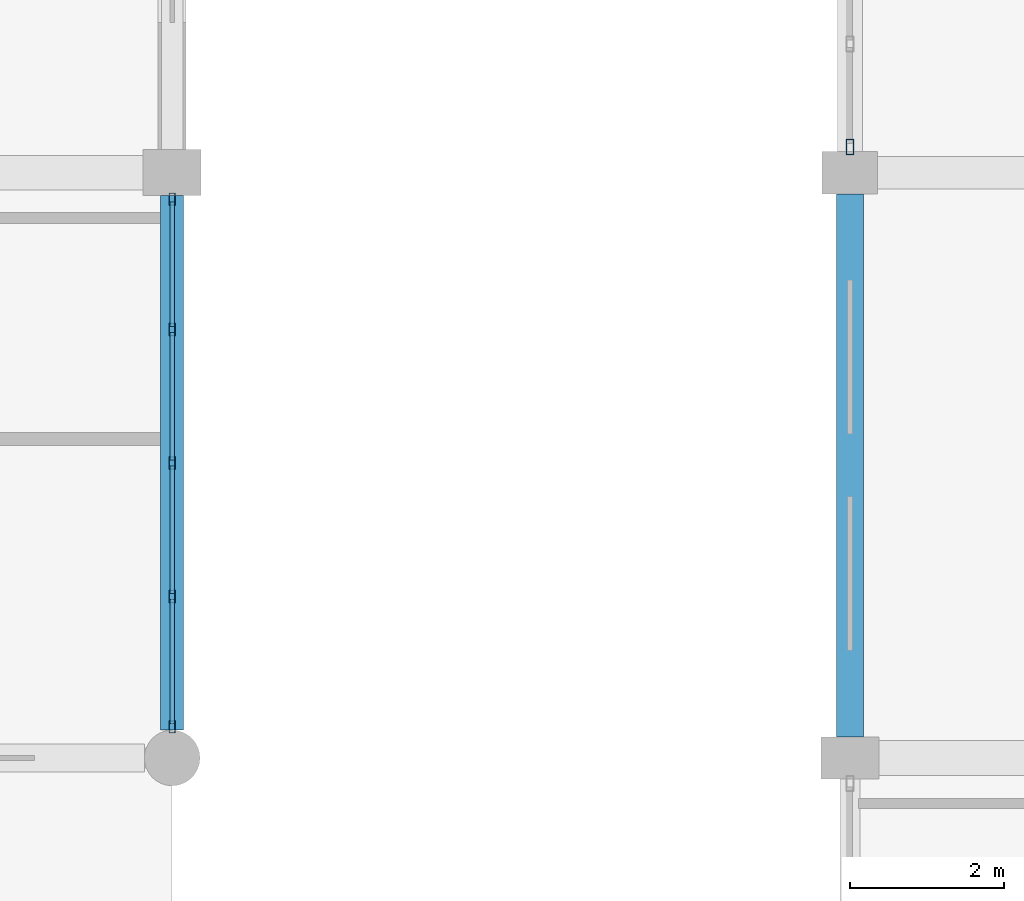
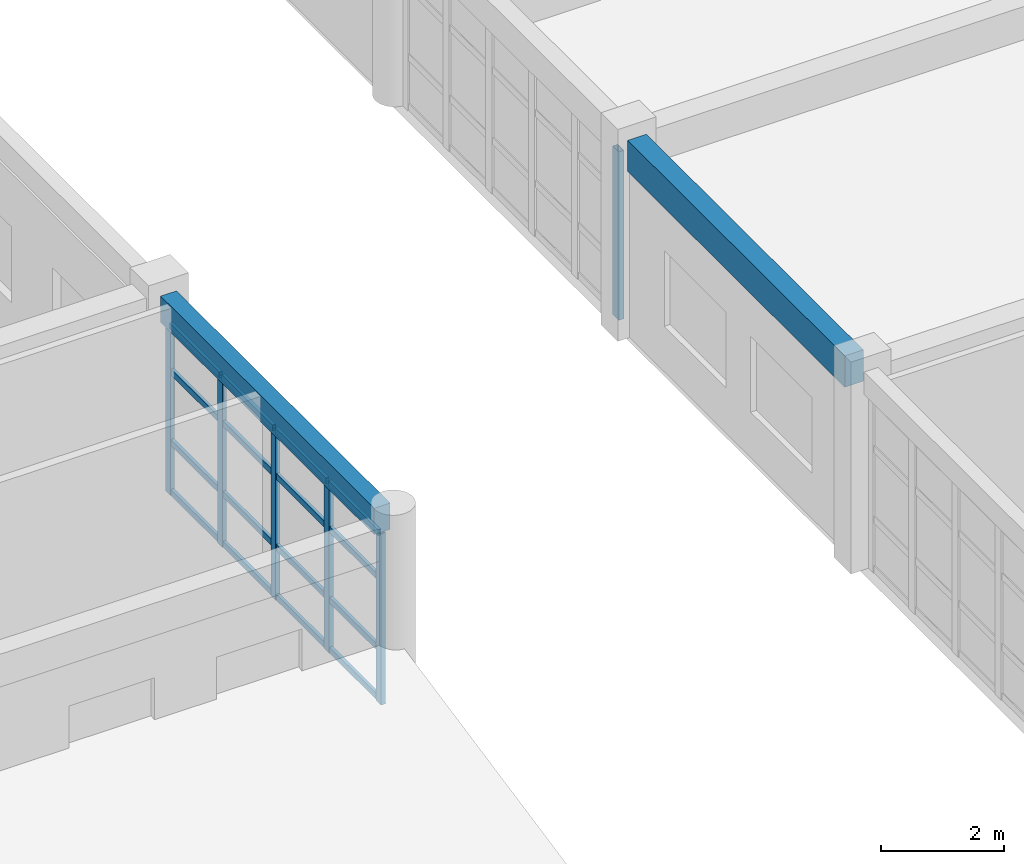
# One storey, part 78 of 195: 22 members, 2 beams, 2 elements without a shape of their own.
"""IFC4 building model written with IfcOpenShell, lengths in metres."""

from ifc_helpers import new_model, si_unit, direction, frame, origin, origin_2d, place, context, subcontext, project, spatial, rectangle, hollow_rectangle, extrude, material, material_profile, profile_set, type_object, element, aggregate, save


model = new_model("IFC4")

# Units and contexts
model_context = context("Model", 3, precision=1e-05, world=origin(), true_north=direction((0.0, 1.0)))
body_context = subcontext(model_context, "Body", "Model", "MODEL_VIEW")
ifc_project = project(units=[si_unit("LENGTHUNIT", "METRE"), si_unit("AREAUNIT", "SQUARE_METRE"), si_unit("VOLUMEUNIT", "CUBIC_METRE"), si_unit("PLANEANGLEUNIT", "RADIAN"), si_unit("MASSUNIT", "GRAM", prefix="KILO")], contexts=[model_context])

# Site, building, storey
site_placement = place(None, origin())
site = spatial("IfcSite", under=ifc_project, at=site_placement, CompositionType="ELEMENT")
building_placement = place(site_placement, origin())
building = spatial("IfcBuilding", under=site, at=building_placement, Name="Kharva Crest Polytechnic", CompositionType="ELEMENT")
storey_placement = place(building_placement, frame((0.0, 0.0, 9.0)))
storey = spatial("IfcBuildingStorey", under=building, at=storey_placement, Name="L02", CompositionType="ELEMENT", Elevation=9.0)

# Curtain wall, members
ifc_material_1 = material(Name="Tempered insulated glass", Category="glass")
curtain_wall_type_1 = type_object("IfcCurtainWallType", Name="CW-SYS-COURT", PredefinedType="USERDEFINED", material=ifc_material_1)
curtain_wall_1_placement = place(storey_placement, origin())
curtain_wall_1 = element("IfcCurtainWall", 1, at=curtain_wall_1_placement, inside=storey, type_object=curtain_wall_type_1, Name="L02 Glazed Curtain Wall CW-080", ObjectType="CURTAIN WALL", PredefinedType="USERDEFINED")
ifc_material_2 = material(Name="Steel S355", Category="steel")
ifc_material_profile_1 = material_profile(ifc_material_2, hollow_rectangle(XDim=0.080078125, YDim=0.159912109375, WallThickness=0.0048828125, at=origin_2d()), Name="RHS 160X80X5.0")
ifc_profile_set_1 = profile_set([ifc_material_profile_1], Name="Steel S355")
member_type_1 = type_object("IfcMemberType", Name="CWM-RHS160X80", PredefinedType="MULLION", material=ifc_profile_set_1)
member_1_placement = place(storey_placement, frame((112.0, 8.0048828125, 0.0), z_axis=(0.0, 0.0, 1.0), x_axis=(-1.0, 0.0, 0.0)))
member_1 = element("IfcMember", 2, at=member_1_placement, type_object=member_type_1, Name="CW-080 mullion 1", PredefinedType="MULLION", context=body_context, shape_type="SweptSolid", body=[
    extrude(hollow_rectangle(XDim=0.080078125, YDim=0.159912109375, WallThickness=0.0048828125, at=origin_2d()), origin(), (0.0, 0.0, 1.0), 3.39990234375),
])
member_2_placement = place(storey_placement, frame((112.0, 9.697509765625, 0.0), z_axis=(0.0, 0.0, 1.0), x_axis=(-1.0, 0.0, 0.0)))
member_2 = element("IfcMember", 3, at=member_2_placement, type_object=member_type_1, Name="CW-080 mullion 2", PredefinedType="MULLION", context=body_context, shape_type="SweptSolid", body=[
    extrude(hollow_rectangle(XDim=0.080078125, YDim=0.159912109375, WallThickness=0.0048828125, at=origin_2d()), origin(), (0.0, 0.0, 1.0), 3.39990234375),
])
member_3_placement = place(storey_placement, frame((112.0, 11.429931640625, 0.0), z_axis=(0.0, 0.0, 1.0), x_axis=(-1.0, 0.0, 0.0)))
member_3 = element("IfcMember", 4, at=member_3_placement, type_object=member_type_1, Name="CW-080 mullion 3", PredefinedType="MULLION", context=body_context, shape_type="SweptSolid", body=[
    extrude(hollow_rectangle(XDim=0.080078125, YDim=0.159912109375, WallThickness=0.0048828125, at=origin_2d()), origin(), (0.0, 0.0, 1.0), 3.39990234375),
])
member_4_placement = place(storey_placement, frame((112.0, 13.16259765625, 0.0), z_axis=(0.0, 0.0, 1.0), x_axis=(-1.0, 0.0, 0.0)))
member_4 = element("IfcMember", 5, at=member_4_placement, type_object=member_type_1, Name="CW-080 mullion 4", PredefinedType="MULLION", context=body_context, shape_type="SweptSolid", body=[
    extrude(hollow_rectangle(XDim=0.080078125, YDim=0.159912109375, WallThickness=0.0048828125, at=origin_2d()), origin(), (0.0, 0.0, 1.0), 3.39990234375),
])
member_5_placement = place(storey_placement, frame((112.0, 14.85498046875, 0.0), z_axis=(0.0, 0.0, 1.0), x_axis=(-1.0, 0.0, 0.0)))
member_5 = element("IfcMember", 6, at=member_5_placement, type_object=member_type_1, Name="CW-080 mullion 5", PredefinedType="MULLION", context=body_context, shape_type="SweptSolid", body=[
    extrude(hollow_rectangle(XDim=0.080078125, YDim=0.159912109375, WallThickness=0.0048828125, at=origin_2d()), origin(), (0.0, 0.0, 1.0), 3.39990234375),
])

# Curtain wall, member
curtain_wall_type_2 = type_object("IfcCurtainWallType", Name="CW-SYS-REFECTORY", PredefinedType="USERDEFINED", material=ifc_material_1)
curtain_wall_2_placement = place(storey_placement, origin())
curtain_wall_2 = element("IfcCurtainWall", 7, at=curtain_wall_2_placement, inside=storey, type_object=curtain_wall_type_2, Name="L02 Glazed Curtain Wall CW-092", ObjectType="CURTAIN WALL", PredefinedType="USERDEFINED")
ifc_material_profile_2 = material_profile(ifc_material_2, hollow_rectangle(XDim=0.10009765625, YDim=0.199951171875, WallThickness=0.00634765625, at=origin_2d()), Name="RHS 200X100X6.3")
ifc_profile_set_2 = profile_set([ifc_material_profile_2], Name="Steel S355")
member_type_2 = type_object("IfcMemberType", Name="CWM-RHS200X100", PredefinedType="MULLION", material=ifc_profile_set_2)
member_6_placement = place(storey_placement, frame((120.800048828125, 15.530029296875, 0.0), z_axis=(0.0, 0.0, 1.0), x_axis=(1.0, 0.0, 0.0)))
member_6 = element("IfcMember", 8, at=member_6_placement, type_object=member_type_2, Name="CW-092 mullion 6", PredefinedType="MULLION", context=body_context, shape_type="SweptSolid", body=[
    extrude(hollow_rectangle(XDim=0.10009765625, YDim=0.199951171875, WallThickness=0.00634765625, at=origin_2d()), origin(), (0.0, 0.0, 1.0), 3.340087890625),
])
aggregate(curtain_wall_2, [member_6])

# Member
ifc_material_profile_3 = material_profile(ifc_material_2, hollow_rectangle(XDim=0.06005859375, YDim=0.1201171875, WallThickness=0.00390625, at=origin_2d()), Name="RHS 120X60X4.0")
ifc_profile_set_3 = profile_set([ifc_material_profile_3], Name="Steel S355")
member_type_3 = type_object("IfcMemberType", Name="CWT-RHS120X60", PredefinedType="USERDEFINED", material=ifc_profile_set_3)
member_7_placement = place(storey_placement, frame((112.0, 8.044921875, 0.06005859375), z_axis=(0.0, 1.0, 0.0), x_axis=(-1.0, 0.0, 0.0)))
member_7 = element("IfcMember", 9, at=member_7_placement, type_object=member_type_3, Name="CW-080 transom 1.1", ObjectType="TRANSOM", PredefinedType="USERDEFINED", context=body_context, shape_type="SweptSolid", body=[
    extrude(hollow_rectangle(XDim=0.06005859375, YDim=0.1201171875, WallThickness=0.00390625, at=origin_2d()), origin(), (0.0, 0.0, 1.0), 1.612548828125),
])

member_8_placement = place(storey_placement, frame((112.0, 8.044921875, 1.050048828125), z_axis=(0.0, 1.0, 0.0), x_axis=(-1.0, 0.0, 0.0)))
member_8 = element("IfcMember", 10, at=member_8_placement, type_object=member_type_3, Name="CW-080 transom 1.2", ObjectType="TRANSOM", PredefinedType="USERDEFINED", context=body_context, shape_type="SweptSolid", body=[
    extrude(hollow_rectangle(XDim=0.06005859375, YDim=0.1201171875, WallThickness=0.00390625, at=origin_2d()), origin(), (0.0, 0.0, 1.0), 1.612548828125),
])

member_9_placement = place(storey_placement, frame((112.0, 8.044921875, 2.449951171875), z_axis=(0.0, 1.0, 0.0), x_axis=(-1.0, 0.0, 0.0)))
member_9 = element("IfcMember", 11, at=member_9_placement, type_object=member_type_3, Name="CW-080 transom 1.3", ObjectType="TRANSOM", PredefinedType="USERDEFINED", context=body_context, shape_type="SweptSolid", body=[
    extrude(hollow_rectangle(XDim=0.06005859375, YDim=0.1201171875, WallThickness=0.00390625, at=origin_2d()), origin(), (0.0, 0.0, 1.0), 1.612548828125),
])

member_10_placement = place(storey_placement, frame((112.0, 8.044921875, 3.340087890625), z_axis=(0.0, 1.0, 0.0), x_axis=(-1.0, 0.0, 0.0)))
member_10 = element("IfcMember", 12, at=member_10_placement, type_object=member_type_3, Name="CW-080 transom 1.4", ObjectType="TRANSOM", PredefinedType="USERDEFINED", context=body_context, shape_type="SweptSolid", body=[
    extrude(hollow_rectangle(XDim=0.06005859375, YDim=0.1201171875, WallThickness=0.00390625, at=origin_2d()), origin(), (0.0, 0.0, 1.0), 1.612548828125),
])

member_11_placement = place(storey_placement, frame((112.0, 9.737548828125, 0.06005859375), z_axis=(0.0, 1.0, 0.0), x_axis=(-1.0, 0.0, 0.0)))
member_11 = element("IfcMember", 13, at=member_11_placement, type_object=member_type_3, Name="CW-080 transom 2.1", ObjectType="TRANSOM", PredefinedType="USERDEFINED", context=body_context, shape_type="SweptSolid", body=[
    extrude(hollow_rectangle(XDim=0.06005859375, YDim=0.1201171875, WallThickness=0.00390625, at=origin_2d()), origin(), (0.0, 0.0, 1.0), 1.65234375),
])

member_12_placement = place(storey_placement, frame((112.0, 9.737548828125, 1.050048828125), z_axis=(0.0, 1.0, 0.0), x_axis=(-1.0, 0.0, 0.0)))
member_12 = element("IfcMember", 14, at=member_12_placement, type_object=member_type_3, Name="CW-080 transom 2.2", ObjectType="TRANSOM", PredefinedType="USERDEFINED", context=body_context, shape_type="SweptSolid", body=[
    extrude(hollow_rectangle(XDim=0.06005859375, YDim=0.1201171875, WallThickness=0.00390625, at=origin_2d()), origin(), (0.0, 0.0, 1.0), 1.65234375),
])

member_13_placement = place(storey_placement, frame((112.0, 9.737548828125, 2.449951171875), z_axis=(0.0, 1.0, 0.0), x_axis=(-1.0, 0.0, 0.0)))
member_13 = element("IfcMember", 15, at=member_13_placement, type_object=member_type_3, Name="CW-080 transom 2.3", ObjectType="TRANSOM", PredefinedType="USERDEFINED", context=body_context, shape_type="SweptSolid", body=[
    extrude(hollow_rectangle(XDim=0.06005859375, YDim=0.1201171875, WallThickness=0.00390625, at=origin_2d()), origin(), (0.0, 0.0, 1.0), 1.65234375),
])

member_14_placement = place(storey_placement, frame((112.0, 9.737548828125, 3.340087890625), z_axis=(0.0, 1.0, 0.0), x_axis=(-1.0, 0.0, 0.0)))
member_14 = element("IfcMember", 16, at=member_14_placement, type_object=member_type_3, Name="CW-080 transom 2.4", ObjectType="TRANSOM", PredefinedType="USERDEFINED", context=body_context, shape_type="SweptSolid", body=[
    extrude(hollow_rectangle(XDim=0.06005859375, YDim=0.1201171875, WallThickness=0.00390625, at=origin_2d()), origin(), (0.0, 0.0, 1.0), 1.65234375),
])

member_15_placement = place(storey_placement, frame((112.0, 11.469970703125, 0.06005859375), z_axis=(0.0, 1.0, 0.0), x_axis=(-1.0, 0.0, 0.0)))
member_15 = element("IfcMember", 17, at=member_15_placement, type_object=member_type_3, Name="CW-080 transom 3.1", ObjectType="TRANSOM", PredefinedType="USERDEFINED", context=body_context, shape_type="SweptSolid", body=[
    extrude(hollow_rectangle(XDim=0.06005859375, YDim=0.1201171875, WallThickness=0.00390625, at=origin_2d()), origin(), (0.0, 0.0, 1.0), 1.652587890625),
])

member_16_placement = place(storey_placement, frame((112.0, 11.469970703125, 1.050048828125), z_axis=(0.0, 1.0, 0.0), x_axis=(-1.0, 0.0, 0.0)))
member_16 = element("IfcMember", 18, at=member_16_placement, type_object=member_type_3, Name="CW-080 transom 3.2", ObjectType="TRANSOM", PredefinedType="USERDEFINED", context=body_context, shape_type="SweptSolid", body=[
    extrude(hollow_rectangle(XDim=0.06005859375, YDim=0.1201171875, WallThickness=0.00390625, at=origin_2d()), origin(), (0.0, 0.0, 1.0), 1.652587890625),
])

member_17_placement = place(storey_placement, frame((112.0, 11.469970703125, 2.449951171875), z_axis=(0.0, 1.0, 0.0), x_axis=(-1.0, 0.0, 0.0)))
member_17 = element("IfcMember", 19, at=member_17_placement, type_object=member_type_3, Name="CW-080 transom 3.3", ObjectType="TRANSOM", PredefinedType="USERDEFINED", context=body_context, shape_type="SweptSolid", body=[
    extrude(hollow_rectangle(XDim=0.06005859375, YDim=0.1201171875, WallThickness=0.00390625, at=origin_2d()), origin(), (0.0, 0.0, 1.0), 1.652587890625),
])

member_18_placement = place(storey_placement, frame((112.0, 11.469970703125, 3.340087890625), z_axis=(0.0, 1.0, 0.0), x_axis=(-1.0, 0.0, 0.0)))
member_18 = element("IfcMember", 20, at=member_18_placement, type_object=member_type_3, Name="CW-080 transom 3.4", ObjectType="TRANSOM", PredefinedType="USERDEFINED", context=body_context, shape_type="SweptSolid", body=[
    extrude(hollow_rectangle(XDim=0.06005859375, YDim=0.1201171875, WallThickness=0.00390625, at=origin_2d()), origin(), (0.0, 0.0, 1.0), 1.652587890625),
])

member_19_placement = place(storey_placement, frame((112.0, 13.202392578125, 0.06005859375), z_axis=(0.0, 1.0, 0.0), x_axis=(-1.0, 0.0, 0.0)))
member_19 = element("IfcMember", 21, at=member_19_placement, type_object=member_type_3, Name="CW-080 transom 4.1", ObjectType="TRANSOM", PredefinedType="USERDEFINED", context=body_context, shape_type="SweptSolid", body=[
    extrude(hollow_rectangle(XDim=0.06005859375, YDim=0.1201171875, WallThickness=0.00390625, at=origin_2d()), origin(), (0.0, 0.0, 1.0), 1.612548828125),
])

member_20_placement = place(storey_placement, frame((112.0, 13.202392578125, 1.050048828125), z_axis=(0.0, 1.0, 0.0), x_axis=(-1.0, 0.0, 0.0)))
member_20 = element("IfcMember", 22, at=member_20_placement, type_object=member_type_3, Name="CW-080 transom 4.2", ObjectType="TRANSOM", PredefinedType="USERDEFINED", context=body_context, shape_type="SweptSolid", body=[
    extrude(hollow_rectangle(XDim=0.06005859375, YDim=0.1201171875, WallThickness=0.00390625, at=origin_2d()), origin(), (0.0, 0.0, 1.0), 1.612548828125),
])

member_21_placement = place(storey_placement, frame((112.0, 13.202392578125, 2.449951171875), z_axis=(0.0, 1.0, 0.0), x_axis=(-1.0, 0.0, 0.0)))
member_21 = element("IfcMember", 23, at=member_21_placement, type_object=member_type_3, Name="CW-080 transom 4.3", ObjectType="TRANSOM", PredefinedType="USERDEFINED", context=body_context, shape_type="SweptSolid", body=[
    extrude(hollow_rectangle(XDim=0.06005859375, YDim=0.1201171875, WallThickness=0.00390625, at=origin_2d()), origin(), (0.0, 0.0, 1.0), 1.612548828125),
])

member_22_placement = place(storey_placement, frame((112.0, 13.202392578125, 3.340087890625), z_axis=(0.0, 1.0, 0.0), x_axis=(-1.0, 0.0, 0.0)))
member_22 = element("IfcMember", 24, at=member_22_placement, type_object=member_type_3, Name="CW-080 transom 4.4", ObjectType="TRANSOM", PredefinedType="USERDEFINED", context=body_context, shape_type="SweptSolid", body=[
    extrude(hollow_rectangle(XDim=0.06005859375, YDim=0.1201171875, WallThickness=0.00390625, at=origin_2d()), origin(), (0.0, 0.0, 1.0), 1.612548828125),
])

aggregate(curtain_wall_1, [member_1, member_2, member_3, member_4, member_5, member_7, member_8, member_9, member_10, member_11, member_12, member_13, member_14, member_15, member_16, member_17, member_18, member_19, member_20, member_21, member_22])

# Beams
ifc_material_3 = material(Name="Concrete C35/45", Category="concrete")
ifc_material_profile_4 = material_profile(ifc_material_3, rectangle(XDim=0.300048828125, YDim=0.52001953125, at=origin_2d()), Name="RECT 300 X 520")
ifc_profile_set_4 = profile_set([ifc_material_profile_4], Name="Concrete C35/45")
beam_type_1 = type_object("IfcBeamType", Name="SP-RC-300X520", PredefinedType="SPANDREL", material=ifc_profile_set_4)
beam_1_placement = place(storey_placement, frame((112.0, 7.9599609375, 3.659912109375), z_axis=(0.0, 1.0, 0.0), x_axis=(-1.0, 0.0, 0.0)))
element("IfcBeam", 25, at=beam_1_placement, inside=storey, type_object=beam_type_1, Name="L02 Girder 15/B-C", PredefinedType="SPANDREL", context=body_context, shape_type="SweptSolid", body=[
    extrude(rectangle(XDim=0.300048828125, YDim=0.52001953125, at=origin_2d()), origin(), (0.0, 0.0, 1.0), 6.93994140625),
])
ifc_material_profile_5 = material_profile(ifc_material_3, rectangle(XDim=0.35009765625, YDim=0.6201171875, at=origin_2d()), Name="RECT 350 X 620")
ifc_profile_set_5 = profile_set([ifc_material_profile_5], Name="Concrete C35/45")
beam_type_2 = type_object("IfcBeamType", Name="SP-RC-350X620", PredefinedType="SPANDREL", material=ifc_profile_set_5)
beam_2_placement = place(storey_placement, frame((120.800048828125, 7.875, 3.610107421875), z_axis=(0.0, 1.0, 0.0), x_axis=(-1.0, 0.0, 0.0)))
element("IfcBeam", 26, at=beam_2_placement, inside=storey, type_object=beam_type_2, Name="L02 Girder 16J/B-C", PredefinedType="SPANDREL", context=body_context, shape_type="SweptSolid", body=[
    extrude(rectangle(XDim=0.35009765625, YDim=0.6201171875, at=origin_2d()), origin(), (0.0, 0.0, 1.0), 7.050048828125),
])

save(model, "model.ifc")
